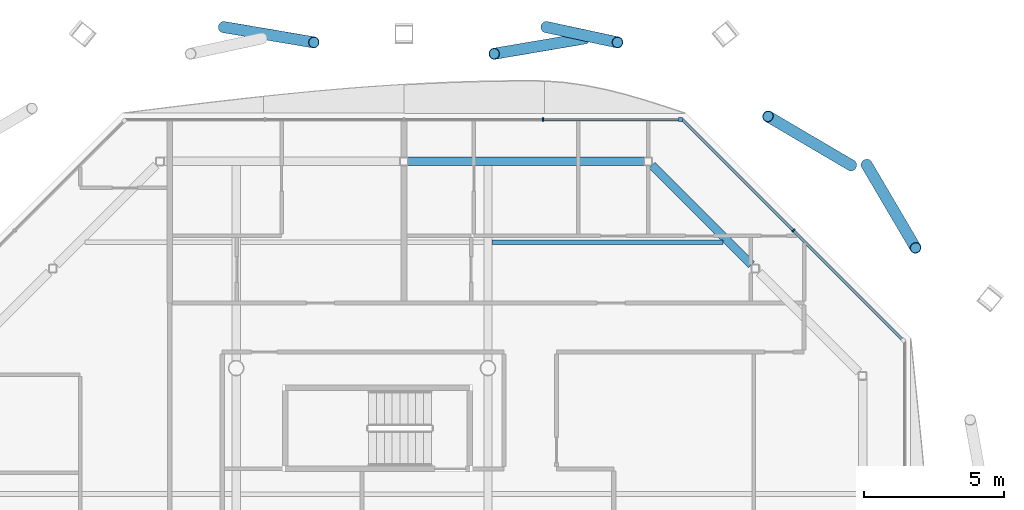
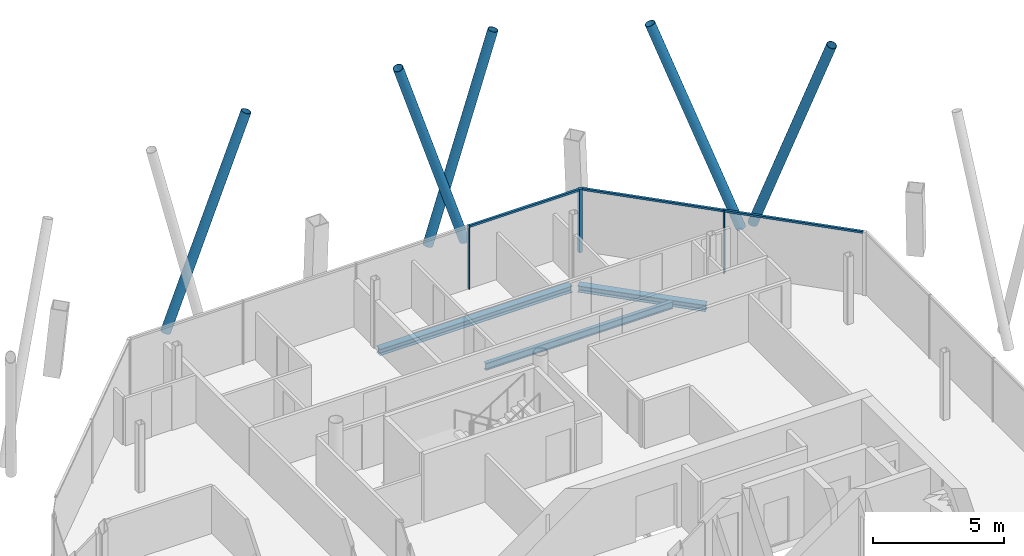
# One storey, part 10 of 17: 11 members, 3 beams, 2 elements without a shape of their own.
"""IFC4 building model written with IfcOpenShell, lengths in metres."""

from ifc_helpers import new_model, si_unit, direction, frame, origin, origin_2d, place, context, subcontext, project, spatial, rectangle, hollow_circle, i_section, extrude, material, material_profile, profile_set, type_object, element, aggregate, save


model = new_model("IFC4")

# Units and contexts
model_context = context("Model", 3, precision=1e-05, world=origin(), true_north=direction((0.0, 1.0)))
body_context = subcontext(model_context, "Body", "Model", "MODEL_VIEW")
ifc_project = project(units=[si_unit("LENGTHUNIT", "METRE"), si_unit("AREAUNIT", "SQUARE_METRE"), si_unit("VOLUMEUNIT", "CUBIC_METRE"), si_unit("PLANEANGLEUNIT", "RADIAN"), si_unit("MASSUNIT", "GRAM", prefix="KILO")], contexts=[model_context])

# Site, building, storey
site_placement = place(None, origin())
site = spatial("IfcSite", under=ifc_project, at=site_placement, CompositionType="ELEMENT")
building_placement = place(site_placement, origin())
building = spatial("IfcBuilding", under=site, at=building_placement, Name="Tskaro Facet Tower", CompositionType="ELEMENT")
storey_placement = place(building_placement, frame((0.0, 0.0, 236.10009765625)))
storey = spatial("IfcBuildingStorey", under=building, at=storey_placement, Name="L61", CompositionType="ELEMENT", Elevation=236.10009765625)

# Members
ifc_material_1 = material(Name="Steel S355J2H", Category="steel")
ifc_material_profile_1 = material_profile(ifc_material_1, hollow_circle(Radius=0.203125, WallThickness=0.02001953125, at=origin_2d()), Name="CHS 406.4x20")
ifc_profile_set_1 = profile_set([ifc_material_profile_1], Name="Steel S355J2H")
member_type_1 = type_object("IfcMemberType", Name="CHS 406.4x20 brace", PredefinedType="BRACE", material=ifc_profile_set_1)
for number, where, z_axis, x_axis, name in (
    (1, (12.98681640625, 16.249755859375, 0.0), (-0.295918818534, 0.173911453254, 0.939248028619), (-0.506677147958, -0.86213587545, 0.0), "CHS 406.4x20 XB06A/5"),
    (2, (13.537109375, 16.274169921875, 0.0), (0.173911453254, -0.295918818534, 0.939248028619), (0.86213587545, 0.506677147958, 0.0), "CHS 406.4x20 XB06B/5"),
):
    element("IfcMember", number, at=place(storey_placement, frame(where, z_axis=z_axis, x_axis=x_axis)), inside=storey, type_object=member_type_1, Name=name, PredefinedType="BRACE", context=body_context, shape_type="SweptSolid", body=[
        extrude(hollow_circle(Radius=0.203125, WallThickness=0.02001953125, at=origin_2d()), origin(), (0.0, 0.0, 1.0), 10.061279296875),
    ])
member_1_placement = place(storey_placement, frame((3.447021484375, 20.785888671875, 0.0), z_axis=(-0.322373283745, -0.054811270979, 0.945024439103), x_axis=(0.167618714997, -0.985851898808, 0.0)))
element("IfcMember", 3, at=member_1_placement, inside=storey, type_object=member_type_1, Name="CHS 406.4x20 XB07A/5", PredefinedType="BRACE", context=body_context, shape_type="SweptSolid", body=[
    extrude(hollow_circle(Radius=0.203125, WallThickness=0.02001953125, at=origin_2d()), origin(), (0.0, 0.0, 1.0), 9.999755859375),
])
member_2_placement = place(storey_placement, frame((2.087890625, 21.192138671875, 0.0), z_axis=(0.259564391772, -0.055893147984, 0.964106987078), x_axis=(0.210509181415, 0.977591880357, 0.0)))
element("IfcMember", 4, at=member_2_placement, inside=storey, type_object=member_type_1, Name="CHS 406.4x20 XB07B/5", PredefinedType="BRACE", context=body_context, shape_type="SweptSolid", body=[
    extrude(hollow_circle(Radius=0.203125, WallThickness=0.02001953125, at=origin_2d()), origin(), (0.0, 0.0, 1.0), 9.8017578125),
])
member_3_placement = place(storey_placement, frame((-9.447021484375, 21.192138671875, 0.0), z_axis=(0.322373715052, -0.054786929459, 0.945025703462), x_axis=(0.167546148248, 0.985864234166, 0.0)))
element("IfcMember", 5, at=member_3_placement, inside=storey, type_object=member_type_1, Name="CHS 406.4x20 XB08B/5", PredefinedType="BRACE", context=body_context, shape_type="SweptSolid", body=[
    extrude(hollow_circle(Radius=0.203125, WallThickness=0.02001953125, at=origin_2d()), origin(), (0.0, 0.0, 1.0), 9.999755859375),
])

# Curtain wall, member
ifc_material_2 = material(Name="Bronze anodised aluminium 6063-T6", Category="aluminium")
curtain_wall_type = type_object("IfcCurtainWallType", Name="Bronze residence curtain wall (FW3)", PredefinedType="NOTDEFINED", material=ifc_material_2)
curtain_wall_1_placement = place(storey_placement, origin())
curtain_wall_1 = element("IfcCurtainWall", 6, at=curtain_wall_1_placement, inside=storey, type_object=curtain_wall_type, Name="FW3 north facet L61", PredefinedType="NOTDEFINED")
ifc_material_profile_2 = material_profile(ifc_material_2, rectangle(XDim=0.139892578125, YDim=0.139892578125, at=origin_2d()), Name="Corner post 140x140")
ifc_profile_set_2 = profile_set([ifc_material_profile_2], Name="Bronze anodised aluminium 6063-T6")
member_type_2 = type_object("IfcMemberType", Name="FW3 bronze corner post 140x140", PredefinedType="MULLION", material=ifc_profile_set_2)
member_4_placement = place(storey_placement, frame((6.8779296875, 17.888916015625, 0.0), z_axis=(0.0, 0.0, 1.0), x_axis=(-1.0, 0.0, 0.0)))
member_4 = element("IfcMember", 7, at=member_4_placement, type_object=member_type_2, Name="FW3 north corner post", PredefinedType="MULLION", context=body_context, shape_type="SweptSolid", body=[
    extrude(rectangle(XDim=0.139892578125, YDim=0.139892578125, at=origin_2d()), origin(), (0.0, 0.0, 1.0), 2.949951171875),
])

curtain_wall_2_placement = place(storey_placement, origin())
curtain_wall_2 = element("IfcCurtainWall", 8, at=curtain_wall_2_placement, inside=storey, type_object=curtain_wall_type, Name="FW3 north-east facet L61", PredefinedType="NOTDEFINED")
ifc_material_profile_3 = material_profile(ifc_material_2, rectangle(XDim=0.050048828125, YDim=0.139892578125, at=origin_2d()), Name="Mullion 50x140")
ifc_profile_set_3 = profile_set([ifc_material_profile_3], Name="Bronze anodised aluminium 6063-T6")
member_type_3 = type_object("IfcMemberType", Name="FW3 bronze mullion 50x140", PredefinedType="MULLION", material=ifc_profile_set_3)
member_5_placement = place(storey_placement, frame((10.91845703125, 13.91845703125, 0.0), z_axis=(0.0, 0.0, 1.0), x_axis=(-0.707106781187, 0.707106781187, 0.0)))
member_5 = element("IfcMember", 9, at=member_5_placement, type_object=member_type_3, Name="FW3 north-east mullion 1", PredefinedType="MULLION", context=body_context, shape_type="SweptSolid", body=[
    extrude(rectangle(XDim=0.050048828125, YDim=0.139892578125, at=origin_2d()), origin(), (0.0, 0.0, 1.0), 2.949951171875),
])

# Member
member_6_placement = place(storey_placement, frame((1.97412109375, 17.888916015625, 0.0), z_axis=(0.0, 0.0, 1.0), x_axis=(-1.0, 0.0, 0.0)))
member_6 = element("IfcMember", 10, at=member_6_placement, type_object=member_type_3, Name="FW3 north mullion 1", PredefinedType="MULLION", context=body_context, shape_type="SweptSolid", body=[
    extrude(rectangle(XDim=0.050048828125, YDim=0.139892578125, at=origin_2d()), origin(), (0.0, 0.0, 1.0), 2.949951171875),
])

ifc_material_profile_4 = material_profile(ifc_material_2, rectangle(XDim=0.10009765625, YDim=0.090087890625, at=origin_2d()), Name="Transom 100x90")
ifc_profile_set_4 = profile_set([ifc_material_profile_4], Name="Bronze anodised aluminium 6063-T6")
member_type_4 = type_object("IfcMemberType", Name="FW3 bronze transom 100x90", PredefinedType="USERDEFINED", material=ifc_profile_set_4)
member_7_placement = place(storey_placement, frame((14.7900390625, 10.046875, 2.90478515625), z_axis=(-0.70708438348, 0.707129178183, 0.0), x_axis=(-0.707129178183, -0.70708438348, 0.0)))
member_7 = element("IfcMember", 11, at=member_7_placement, type_object=member_type_4, Name="FW3 north-east transom 1.1", ObjectType="TRANSOM", PredefinedType="USERDEFINED", context=body_context, shape_type="SweptSolid", body=[
    extrude(rectangle(XDim=0.10009765625, YDim=0.090087890625, at=origin_2d()), origin(), (0.0, 0.0, 1.0), 5.4501953125),
])

member_8_placement = place(storey_placement, frame((10.90087890625, 13.936279296875, 2.90478515625), z_axis=(-0.707128617938, 0.70708494376, 0.0), x_axis=(-0.70708494376, -0.707128617938, 0.0)))
member_8 = element("IfcMember", 12, at=member_8_placement, type_object=member_type_4, Name="FW3 north-east transom 2.1", ObjectType="TRANSOM", PredefinedType="USERDEFINED", context=body_context, shape_type="SweptSolid", body=[
    extrude(rectangle(XDim=0.10009765625, YDim=0.090087890625, at=origin_2d()), origin(), (0.0, 0.0, 1.0), 5.590087890625),
])

aggregate(curtain_wall_2, [member_5, member_7, member_8])

member_9_placement = place(storey_placement, frame((6.80810546875, 17.888916015625, 2.90478515625), z_axis=(-1.0, 0.0, 0.0), x_axis=(0.0, -1.0, 0.0)))
member_9 = element("IfcMember", 13, at=member_9_placement, type_object=member_type_4, Name="FW3 north transom 1.1", ObjectType="TRANSOM", PredefinedType="USERDEFINED", context=body_context, shape_type="SweptSolid", body=[
    extrude(rectangle(XDim=0.10009765625, YDim=0.090087890625, at=origin_2d()), origin(), (0.0, 0.0, 1.0), 4.80908203125),
])

aggregate(curtain_wall_1, [member_4, member_6, member_9])

# Beams
ifc_material_3 = material(Name="Steel S355J2", Category="steel")
ifc_material_profile_5 = material_profile(ifc_material_3, i_section(OverallWidth=0.300048828125, OverallDepth=0.300048828125, WebThickness=0.010986328125, FlangeThickness=0.01904296875, FilletRadius=0.027099609375, at=origin_2d()), Name="HE 300 B")
ifc_profile_set_5 = profile_set([ifc_material_profile_5], Name="Steel S355J2")
beam_type_1 = type_object("IfcBeamType", Name="HE 300 B ring beam", PredefinedType="BEAM", material=ifc_profile_set_5)
beam_1_placement = place(storey_placement, frame((9.422119140625, 12.69384765625, -0.2900390625), z_axis=(-0.707106781187, 0.707106781187, 0.0), x_axis=(-0.707106781187, -0.707106781187, 0.0)))
element("IfcBeam", 14, at=beam_1_placement, inside=storey, type_object=beam_type_1, Name="HE 300 B EB9-5", PredefinedType="BEAM", context=body_context, shape_type="SweptSolid", body=[
    extrude(i_section(OverallWidth=0.300048828125, OverallDepth=0.300048828125, WebThickness=0.010986328125, FlangeThickness=0.01904296875, FilletRadius=0.027099609375, at=origin_2d()), origin(), (0.0, 0.0, 1.0), 5.036376953125),
])
beam_2_placement = place(storey_placement, frame((5.594970703125, 16.39111328125, -0.2900390625), z_axis=(-1.0, 0.0, 0.0), x_axis=(0.0, -1.0, 0.0)))
element("IfcBeam", 15, at=beam_2_placement, inside=storey, type_object=beam_type_1, Name="HE 300 B EB10-5", PredefinedType="BEAM", context=body_context, shape_type="SweptSolid", body=[
    extrude(i_section(OverallWidth=0.300048828125, OverallDepth=0.300048828125, WebThickness=0.010986328125, FlangeThickness=0.01904296875, FilletRadius=0.027099609375, at=origin_2d()), origin(), (0.0, 0.0, 1.0), 8.465087890625),
])
ifc_material_profile_6 = material_profile(ifc_material_3, i_section(OverallWidth=0.159912109375, OverallDepth=0.330078125, WebThickness=0.007568359375, FlangeThickness=0.011474609375, FilletRadius=0.01806640625, at=origin_2d()), Name="IPE 330")
ifc_profile_set_6 = profile_set([ifc_material_profile_6], Name="Steel S355J2")
beam_type_2 = type_object("IfcBeamType", Name="IPE 330 secondary beam", PredefinedType="BEAM", material=ifc_profile_set_6)
beam_3_placement = place(storey_placement, frame((0.14990234375, 13.5, -0.30517578125), z_axis=(1.0, 0.0, 0.0), x_axis=(0.0, 1.0, 0.0)))
element("IfcBeam", 16, at=beam_3_placement, inside=storey, type_object=beam_type_2, Name="IPE 330 SB5a-3-5", PredefinedType="BEAM", context=body_context, shape_type="SweptSolid", body=[
    extrude(i_section(OverallWidth=0.159912109375, OverallDepth=0.330078125, WebThickness=0.007568359375, FlangeThickness=0.011474609375, FilletRadius=0.01806640625, at=origin_2d()), origin(), (0.0, 0.0, 1.0), 8.254150390625),
])

save(model, "model.ifc")
